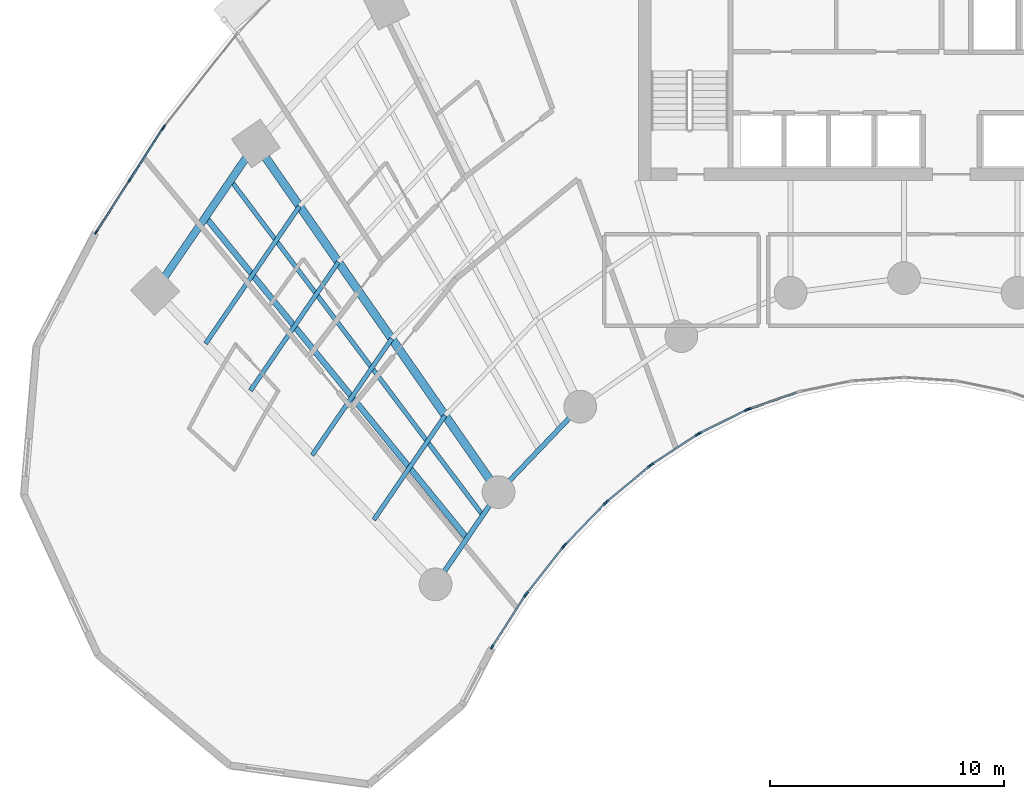
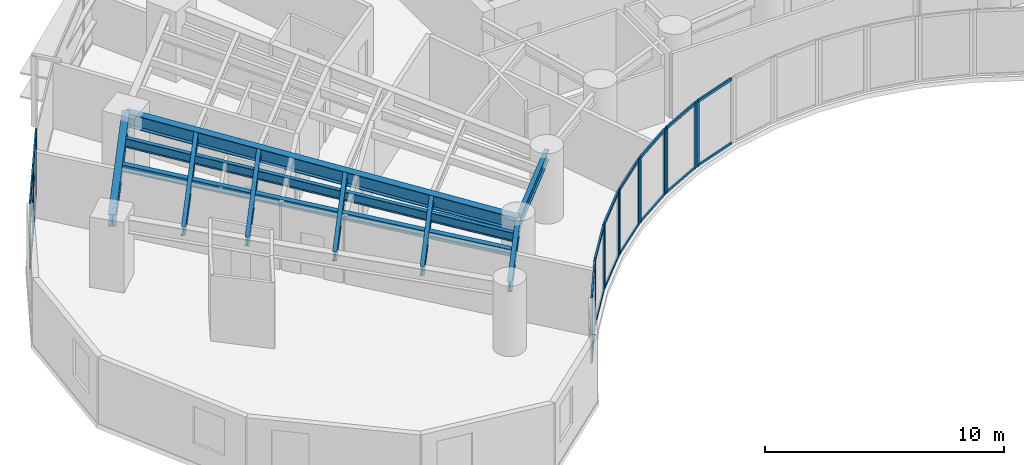
# One storey, part 2 of 17: 37 members, 10 beams, 9 elements without a shape of their own.
"""IFC4 building model written with IfcOpenShell, lengths in metres."""

from ifc_helpers import new_model, si_unit, direction, frame, origin, origin_2d, place, context, subcontext, project, spatial, rectangle, hollow_rectangle, i_section, extrude, source, transform, mapped, material, layer, layer_set, material_profile, profile_set, type_object, type_shapes, element, aggregate, save


model = new_model("IFC4")

# Units and contexts
model_context = context("Model", 3, precision=1e-05, world=origin(), true_north=direction((0.0, 1.0)))
body_context = subcontext(model_context, "Body", "Model", "MODEL_VIEW")
ifc_project = project(units=[si_unit("LENGTHUNIT", "METRE"), si_unit("AREAUNIT", "SQUARE_METRE"), si_unit("VOLUMEUNIT", "CUBIC_METRE"), si_unit("PLANEANGLEUNIT", "RADIAN"), si_unit("MASSUNIT", "GRAM", prefix="KILO")], contexts=[model_context])

# Site, building, storey
site_placement = place(None, origin())
site = spatial("IfcSite", under=ifc_project, at=site_placement, CompositionType="ELEMENT")
building_placement = place(site_placement, origin())
building = spatial("IfcBuilding", under=site, at=building_placement, Name="Breltana Convention Tower", CompositionType="ELEMENT")
storey_placement = place(building_placement, frame((0.0, 0.0, 71.39990234375)))
storey = spatial("IfcBuildingStorey", under=building, at=storey_placement, Name="L16", CompositionType="ELEMENT", Elevation=71.39990234375)

# Beams
ifc_material_1 = material(Name="Steel ASTM A992 Grade 50", Category="steel")
ifc_material_profile_1 = material_profile(ifc_material_1, i_section(OverallWidth=0.323974609375, OverallDepth=0.611083984375, WebThickness=0.0126953125, FlangeThickness=0.01904296875, at=origin_2d()), Name="W24X104")
ifc_profile_set_1 = profile_set([ifc_material_profile_1], Name="Steel ASTM A992 Grade 50")
beam_type_1 = type_object("IfcBeamType", Name="BM-SP-W24X104", PredefinedType="SPANDREL", material=ifc_profile_set_1)
shared_shape_1 = source(origin(), body_context, "Body", "SweptSolid", [
    extrude(i_section(OverallWidth=0.323974609375, OverallDepth=0.611083984375, WebThickness=0.0126953125, FlangeThickness=0.01904296875, at=origin_2d()), origin(), (0.0, 0.0, 1.0), 7.625),
])
type_shapes(beam_type_1, [shared_shape_1])
beam_1_placement = place(storey_placement, frame((16.0068359375, 55.494384765625, 3.0546875), z_axis=(0.564452031902, 0.825465870694, 0.0), x_axis=(-0.825465870694, 0.564452031902, 0.0)))
element("IfcBeam", 1, at=beam_1_placement, inside=storey, type_object=beam_type_1, Name="L16 Outer Spandrel Beam 01", PredefinedType="SPANDREL", context=body_context, shape_type="MappedRepresentation", body=[
    mapped(shared_shape_1, transform((0.0, 0.0, 0.0), scale=1.0)),
])
ifc_material_profile_2 = material_profile(ifc_material_1, i_section(OverallWidth=0.35498046875, OverallDepth=0.696044921875, WebThickness=0.015380859375, FlangeThickness=0.02490234375, at=origin_2d()), Name="W27X146")
ifc_profile_set_2 = profile_set([ifc_material_profile_2], Name="Steel ASTM A992 Grade 50")
beam_type_2 = type_object("IfcBeamType", Name="BM-RG-W27X146", PredefinedType="USERDEFINED", material=ifc_profile_set_2)
shared_shape_2 = source(origin(), body_context, "Body", "SweptSolid", [
    extrude(i_section(OverallWidth=0.35498046875, OverallDepth=0.696044921875, WebThickness=0.015380859375, FlangeThickness=0.02490234375, at=origin_2d()), origin(), (0.0, 0.0, 1.0), 18.1484375),
])
beam_2_placement = place(storey_placement, frame((30.67724609375, 46.892333984375, 3.01220703125), z_axis=(-0.571207556098, 0.820805657788, 0.0), x_axis=(-0.820805657788, -0.571207556098, 0.0)))
element("IfcBeam", 2, at=beam_2_placement, inside=storey, type_object=beam_type_2, Name="L16 Radial Floor Girder R02", ObjectType="GIRDER", PredefinedType="USERDEFINED", context=body_context, shape_type="MappedRepresentation", body=[
    mapped(shared_shape_2, transform((0.0, 0.0, 0.0), scale=1.0)),
])
ifc_material_profile_3 = material_profile(ifc_material_1, i_section(OverallWidth=0.2099609375, OverallDepth=0.537109375, WebThickness=0.010986328125, FlangeThickness=0.017333984375, at=origin_2d()), Name="W21X68")
ifc_profile_set_3 = profile_set([ifc_material_profile_3], Name="Steel ASTM A992 Grade 50")
beam_type_3 = type_object("IfcBeamType", Name="BM-BM-W21X68", PredefinedType="BEAM", material=ifc_profile_set_3)
shared_shape_3 = source(origin(), body_context, "Body", "SweptSolid", [
    extrude(i_section(OverallWidth=0.2099609375, OverallDepth=0.537109375, WebThickness=0.010986328125, FlangeThickness=0.017333984375, at=origin_2d()), origin(), (0.0, 0.0, 1.0), 4.770263671875),
])
beam_3_placement = place(storey_placement, frame((27.984619140625, 42.95458984375, 3.091552734375), z_axis=(0.564452719055, 0.82546540082, 0.0), x_axis=(-0.82546540082, 0.564452719055, 0.0)))
element("IfcBeam", 3, at=beam_3_placement, inside=storey, type_object=beam_type_3, Name="L16 Inner Ring Beam 01", PredefinedType="BEAM", context=body_context, shape_type="MappedRepresentation", body=[
    mapped(shared_shape_3, transform((0.0, 0.0, 0.0), scale=1.0)),
])
shared_shape_4 = source(origin(), body_context, "Body", "SweptSolid", [
    extrude(i_section(OverallWidth=0.2099609375, OverallDepth=0.537109375, WebThickness=0.010986328125, FlangeThickness=0.017333984375, at=origin_2d()), origin(), (0.0, 0.0, 1.0), 5.05126953125),
])
beam_4_placement = place(storey_placement, frame((30.67724609375, 46.892333984375, 3.091552734375), z_axis=(0.690729753845, 0.7231129975, 0.0), x_axis=(-0.7231129975, 0.690729753845, 0.0)))
element("IfcBeam", 4, at=beam_4_placement, inside=storey, type_object=beam_type_3, Name="L16 Inner Ring Beam 02", PredefinedType="BEAM", context=body_context, shape_type="MappedRepresentation", body=[
    mapped(shared_shape_4, transform((0.0, 0.0, 0.0), scale=1.0)),
])
ifc_material_profile_4 = material_profile(ifc_material_1, i_section(OverallWidth=0.19091796875, OverallDepth=0.4599609375, WebThickness=0.010009765625, FlangeThickness=0.01611328125, at=origin_2d()), Name="W18X55")
ifc_profile_set_4 = profile_set([ifc_material_profile_4], Name="Steel ASTM A992 Grade 50")
beam_type_4 = type_object("IfcBeamType", Name="BM-JSG-07", PredefinedType="JOIST", material=ifc_profile_set_4)
shared_shape_5 = source(origin(), body_context, "Body", "SweptSolid", [
    extrude(i_section(OverallWidth=0.19091796875, OverallDepth=0.4599609375, WebThickness=0.010009765625, FlangeThickness=0.01611328125, at=origin_2d()), origin(), (0.0, 0.0, 1.0), 5.3984375),
])
type_shapes(beam_type_4, [shared_shape_5])
beam_5_placement = place(storey_placement, frame((25.349365234375, 45.71337890625, 3.130126953125), z_axis=(0.564440705434, 0.825473615599, 0.0), x_axis=(-0.825473615599, 0.564440705434, 0.0)))
element("IfcBeam", 5, at=beam_5_placement, inside=storey, type_object=beam_type_4, Name="L16 Composite Floor Joist 01.1", PredefinedType="JOIST", context=body_context, shape_type="MappedRepresentation", body=[
    mapped(shared_shape_5, transform((0.0, 0.0, 0.0), scale=1.0)),
])
shared_shape_6 = source(origin(), body_context, "Body", "SweptSolid", [
    extrude(i_section(OverallWidth=0.19091796875, OverallDepth=0.4599609375, WebThickness=0.010009765625, FlangeThickness=0.01611328125, at=origin_2d()), origin(), (0.0, 0.0, 1.0), 6.0263671875),
])
beam_6_placement = place(storey_placement, frame((22.71435546875, 48.47216796875, 3.130126953125), z_axis=(0.564450071397, 0.825467211281, 0.0), x_axis=(-0.825467211281, 0.564450071397, 0.0)))
element("IfcBeam", 6, at=beam_6_placement, inside=storey, type_object=beam_type_4, Name="L16 Composite Floor Joist 01.2", PredefinedType="JOIST", context=body_context, shape_type="MappedRepresentation", body=[
    mapped(shared_shape_6, transform((0.0, 0.0, 0.0), scale=1.0)),
])
shared_shape_7 = source(origin(), body_context, "Body", "SweptSolid", [
    extrude(i_section(OverallWidth=0.19091796875, OverallDepth=0.4599609375, WebThickness=0.010009765625, FlangeThickness=0.01611328125, at=origin_2d()), origin(), (0.0, 0.0, 1.0), 6.654541015625),
])
beam_7_placement = place(storey_placement, frame((20.0791015625, 51.23095703125, 3.130126953125), z_axis=(0.564482668195, 0.82544492082, 0.0), x_axis=(-0.82544492082, 0.564482668195, 0.0)))
element("IfcBeam", 7, at=beam_7_placement, inside=storey, type_object=beam_type_4, Name="L16 Composite Floor Joist 01.3", PredefinedType="JOIST", context=body_context, shape_type="MappedRepresentation", body=[
    mapped(shared_shape_7, transform((0.0, 0.0, 0.0), scale=1.0)),
])
shared_shape_8 = source(origin(), body_context, "Body", "SweptSolid", [
    extrude(i_section(OverallWidth=0.19091796875, OverallDepth=0.4599609375, WebThickness=0.010009765625, FlangeThickness=0.01611328125, at=origin_2d()), origin(), (0.0, 0.0, 1.0), 7.111328125),
])
beam_8_placement = place(storey_placement, frame((18.162841796875, 53.2373046875, 3.130126953125), z_axis=(0.564446356178, 0.825469751715, 0.0), x_axis=(-0.825469751715, 0.564446356178, 0.0)))
element("IfcBeam", 8, at=beam_8_placement, inside=storey, type_object=beam_type_4, Name="L16 Composite Floor Joist 01.4", PredefinedType="JOIST", context=body_context, shape_type="MappedRepresentation", body=[
    mapped(shared_shape_8, transform((0.0, 0.0, 0.0), scale=1.0)),
])
ifc_material_profile_5 = material_profile(ifc_material_1, hollow_rectangle(XDim=0.25, YDim=0.35009765625, WallThickness=0.011962890625, at=origin_2d()), Name="RHS350X250X12")
ifc_profile_set_5 = profile_set([ifc_material_profile_5], Name="Steel ASTM A992 Grade 50")
beam_type_5 = type_object("IfcBeamType", Name="BM-JSG-12", PredefinedType="JOIST", material=ifc_profile_set_5)
shared_shape_9 = source(origin(), body_context, "Body", "SweptSolid", [
    extrude(hollow_rectangle(XDim=0.25, YDim=0.35009765625, WallThickness=0.011962890625, at=origin_2d()), origin(), (0.0, 0.0, 1.0), 17.691650390625),
])
type_shapes(beam_type_5, [shared_shape_9])
beam_9_placement = place(storey_placement, frame((29.330810546875, 44.923583984375, 3.18505859375), z_axis=(-0.631476958478, 0.775394642044, 0.0), x_axis=(-0.775394642044, -0.631476958478, 0.0)))
element("IfcBeam", 9, at=beam_9_placement, inside=storey, type_object=beam_type_5, Name="L16 Mid-Bay Radial Trimmer 01", PredefinedType="JOIST", context=body_context, shape_type="MappedRepresentation", body=[
    mapped(shared_shape_9, transform((0.0, 0.0, 0.0), scale=1.0)),
])
shared_shape_10 = source(origin(), body_context, "Body", "SweptSolid", [
    extrude(i_section(OverallWidth=0.19091796875, OverallDepth=0.4599609375, WebThickness=0.010009765625, FlangeThickness=0.01611328125, at=origin_2d()), origin(), (0.0, 0.0, 1.0), 17.9072265625),
])
beam_10_placement = place(storey_placement, frame((30.00390625, 45.907958984375, 3.130126953125), z_axis=(-0.601382105028, 0.798961553363, 0.0), x_axis=(-0.798961553363, -0.601382105028, 0.0)))
element("IfcBeam", 10, at=beam_10_placement, inside=storey, type_object=beam_type_4, Name="L16 Quarter-Bay Radial Trimmer 01", PredefinedType="JOIST", context=body_context, shape_type="MappedRepresentation", body=[
    mapped(shared_shape_10, transform((0.0, 0.0, 0.0), scale=1.0)),
])

# Curtain wall, members
ifc_material_2 = material(Name="Aluminium Anodised Bronze Frame", Category="aluminium")
ifc_layer_1 = layer(ifc_material_2, 0.18994140625, Name="Aluminium Anodised Bronze Frame")
ifc_layer_set_1 = layer_set([ifc_layer_1], Name="Aluminium Anodised Bronze Frame")
curtain_wall_type_1 = type_object("IfcCurtainWallType", Name="CW-SYS-1", PredefinedType="NOTDEFINED", material=ifc_layer_set_1)
curtain_wall_1_placement = place(storey_placement, origin())
curtain_wall_1 = element("IfcCurtainWall", 11, at=curtain_wall_1_placement, inside=storey, type_object=curtain_wall_type_1, Name="L16 inner south-court glazing 16", PredefinedType="NOTDEFINED")
ifc_material_3 = material(Name="Aluminium Anodised Bronze", Category="aluminium")
ifc_material_profile_6 = material_profile(ifc_material_3, rectangle(XDim=0.080078125, YDim=0.139892578125, at=origin_2d()), Name="CWT-80X140")
ifc_profile_set_6 = profile_set([ifc_material_profile_6], Name="Aluminium Anodised Bronze")
member_type_1 = type_object("IfcMemberType", Name="CWT-140", PredefinedType="USERDEFINED", material=ifc_profile_set_6)
shared_shape_11 = source(origin(), body_context, "Body", "SweptSolid", [
    extrude(rectangle(XDim=0.080078125, YDim=0.139892578125, at=origin_2d()), origin(), (0.0, 0.0, 1.0), 2.38720703125),
])
type_shapes(member_type_1, [shared_shape_11])
member_1_placement = place(storey_placement, frame((35.2021484375, 46.385009765625, 0.0400390625), z_axis=(-0.694623715393, -0.719373264734, 0.0), x_axis=(0.719373264734, -0.694623715393, 0.0)))
member_1 = element("IfcMember", 12, at=member_1_placement, type_object=member_type_1, Name="CW-01 transom 1.1", ObjectType="TRANSOM", PredefinedType="USERDEFINED", context=body_context, shape_type="MappedRepresentation", body=[
    mapped(shared_shape_11, transform((0.0, 0.0, 0.0), scale=1.0)),
])
member_2_placement = place(storey_placement, frame((35.2021484375, 46.385009765625, 3.320068359375), z_axis=(-0.694623715393, -0.719373264734, 0.0), x_axis=(0.719373264734, -0.694623715393, 0.0)))
member_2 = element("IfcMember", 13, at=member_2_placement, type_object=member_type_1, Name="CW-01 transom 1.2", ObjectType="TRANSOM", PredefinedType="USERDEFINED", context=body_context, shape_type="MappedRepresentation", body=[
    mapped(shared_shape_11, transform((0.0, 0.0, 0.0), scale=1.0)),
])

curtain_wall_2_placement = place(storey_placement, origin())
curtain_wall_2 = element("IfcCurtainWall", 14, at=curtain_wall_2_placement, inside=storey, type_object=curtain_wall_type_1, Name="L16 inner south-court glazing 15", PredefinedType="NOTDEFINED")
shared_shape_12 = source(origin(), body_context, "Body", "SweptSolid", [
    extrude(rectangle(XDim=0.080078125, YDim=0.139892578125, at=origin_2d()), origin(), (0.0, 0.0, 1.0), 2.312255859375),
])
member_3_placement = place(storey_placement, frame((37.10888671875, 47.988037109375, 0.0400390625), z_axis=(-0.767900974507, -0.640568570374, 0.0), x_axis=(0.640568570374, -0.767900974507, 0.0)))
member_3 = element("IfcMember", 15, at=member_3_placement, type_object=member_type_1, Name="CW-01 transom 1.1", ObjectType="TRANSOM", PredefinedType="USERDEFINED", context=body_context, shape_type="MappedRepresentation", body=[
    mapped(shared_shape_12, transform((0.0, 0.0, 0.0), scale=1.0)),
])
member_4_placement = place(storey_placement, frame((37.10888671875, 47.988037109375, 3.320068359375), z_axis=(-0.767900974507, -0.640568570374, 0.0), x_axis=(0.640568570374, -0.767900974507, 0.0)))
member_4 = element("IfcMember", 16, at=member_4_placement, type_object=member_type_1, Name="CW-01 transom 1.2", ObjectType="TRANSOM", PredefinedType="USERDEFINED", context=body_context, shape_type="MappedRepresentation", body=[
    mapped(shared_shape_12, transform((0.0, 0.0, 0.0), scale=1.0)),
])

curtain_wall_3_placement = place(storey_placement, origin())
curtain_wall_3 = element("IfcCurtainWall", 17, at=curtain_wall_3_placement, inside=storey, type_object=curtain_wall_type_1, Name="L16 inner south-court glazing 14", PredefinedType="NOTDEFINED")
shared_shape_13 = source(origin(), body_context, "Body", "SweptSolid", [
    extrude(rectangle(XDim=0.080078125, YDim=0.139892578125, at=origin_2d()), origin(), (0.0, 0.0, 1.0), 2.2421875),
])
member_5_placement = place(storey_placement, frame((39.128173828125, 49.325927734375, 0.0400390625), z_axis=(-0.835982353773, -0.548756324957, 0.0), x_axis=(0.548756324957, -0.835982353773, 0.0)))
member_5 = element("IfcMember", 18, at=member_5_placement, type_object=member_type_1, Name="CW-01 transom 1.1", ObjectType="TRANSOM", PredefinedType="USERDEFINED", context=body_context, shape_type="MappedRepresentation", body=[
    mapped(shared_shape_13, transform((0.0, 0.0, 0.0), scale=1.0)),
])
member_6_placement = place(storey_placement, frame((39.128173828125, 49.325927734375, 3.320068359375), z_axis=(-0.835982353773, -0.548756324957, 0.0), x_axis=(0.548756324957, -0.835982353773, 0.0)))
member_6 = element("IfcMember", 19, at=member_6_placement, type_object=member_type_1, Name="CW-01 transom 1.2", ObjectType="TRANSOM", PredefinedType="USERDEFINED", context=body_context, shape_type="MappedRepresentation", body=[
    mapped(shared_shape_13, transform((0.0, 0.0, 0.0), scale=1.0)),
])

curtain_wall_4_placement = place(storey_placement, origin())
curtain_wall_4 = element("IfcCurtainWall", 20, at=curtain_wall_4_placement, inside=storey, type_object=curtain_wall_type_1, Name="L16 inner south-court glazing 13", PredefinedType="NOTDEFINED")
shared_shape_14 = source(origin(), body_context, "Body", "SweptSolid", [
    extrude(rectangle(XDim=0.080078125, YDim=0.139892578125, at=origin_2d()), origin(), (0.0, 0.0, 1.0), 2.180908203125),
])
member_7_placement = place(storey_placement, frame((41.239501953125, 50.384765625, 0.0400390625), z_axis=(-0.895922266369, -0.444210865045, 0.0), x_axis=(0.444210865045, -0.895922266369, 0.0)))
member_7 = element("IfcMember", 21, at=member_7_placement, type_object=member_type_1, Name="CW-01 transom 1.1", ObjectType="TRANSOM", PredefinedType="USERDEFINED", context=body_context, shape_type="MappedRepresentation", body=[
    mapped(shared_shape_14, transform((0.0, 0.0, 0.0), scale=1.0)),
])
member_8_placement = place(storey_placement, frame((41.239501953125, 50.384765625, 3.320068359375), z_axis=(-0.895922266369, -0.444210865045, 0.0), x_axis=(0.444210865045, -0.895922266369, 0.0)))
member_8 = element("IfcMember", 22, at=member_8_placement, type_object=member_type_1, Name="CW-01 transom 1.2", ObjectType="TRANSOM", PredefinedType="USERDEFINED", context=body_context, shape_type="MappedRepresentation", body=[
    mapped(shared_shape_14, transform((0.0, 0.0, 0.0), scale=1.0)),
])

curtain_wall_5_placement = place(storey_placement, origin())
curtain_wall_5 = element("IfcCurtainWall", 23, at=curtain_wall_5_placement, inside=storey, type_object=curtain_wall_type_1, Name="L16 inner south-court glazing 17", PredefinedType="NOTDEFINED")
shared_shape_15 = source(origin(), body_context, "Body", "SweptSolid", [
    extrude(rectangle(XDim=0.080078125, YDim=0.139892578125, at=origin_2d()), origin(), (0.0, 0.0, 1.0), 2.4638671875),
])
member_9_placement = place(storey_placement, frame((33.427001953125, 44.533447265625, 0.0400390625), z_axis=(-0.618184689608, -0.786032880695, 0.0), x_axis=(0.786032880695, -0.618184689608, 0.0)))
member_9 = element("IfcMember", 24, at=member_9_placement, type_object=member_type_1, Name="CW-01 transom 1.1", ObjectType="TRANSOM", PredefinedType="USERDEFINED", context=body_context, shape_type="MappedRepresentation", body=[
    mapped(shared_shape_15, transform((0.0, 0.0, 0.0), scale=1.0)),
])
member_10_placement = place(storey_placement, frame((33.427001953125, 44.533447265625, 3.320068359375), z_axis=(-0.618184689608, -0.786032880695, 0.0), x_axis=(0.786032880695, -0.618184689608, 0.0)))
member_10 = element("IfcMember", 25, at=member_10_placement, type_object=member_type_1, Name="CW-01 transom 1.2", ObjectType="TRANSOM", PredefinedType="USERDEFINED", context=body_context, shape_type="MappedRepresentation", body=[
    mapped(shared_shape_15, transform((0.0, 0.0, 0.0), scale=1.0)),
])

curtain_wall_6_placement = place(storey_placement, origin())
curtain_wall_6 = element("IfcCurtainWall", 26, at=curtain_wall_6_placement, inside=storey, type_object=curtain_wall_type_1, Name="L16 inner south-court glazing 18", PredefinedType="NOTDEFINED")
shared_shape_16 = source(origin(), body_context, "Body", "SweptSolid", [
    extrude(rectangle(XDim=0.080078125, YDim=0.139892578125, at=origin_2d()), origin(), (0.0, 0.0, 1.0), 2.53955078125),
])
member_11_placement = place(storey_placement, frame((31.801025390625, 42.452392578125, 0.0400390625), z_axis=(-0.540174413174, -0.841553090038, 0.0), x_axis=(0.841553090038, -0.540174413174, 0.0)))
member_11 = element("IfcMember", 27, at=member_11_placement, type_object=member_type_1, Name="CW-01 transom 1.1", ObjectType="TRANSOM", PredefinedType="USERDEFINED", context=body_context, shape_type="MappedRepresentation", body=[
    mapped(shared_shape_16, transform((0.0, 0.0, 0.0), scale=1.0)),
])
member_12_placement = place(storey_placement, frame((31.801025390625, 42.452392578125, 3.320068359375), z_axis=(-0.540174413174, -0.841553090038, 0.0), x_axis=(0.841553090038, -0.540174413174, 0.0)))
member_12 = element("IfcMember", 28, at=member_12_placement, type_object=member_type_1, Name="CW-01 transom 1.2", ObjectType="TRANSOM", PredefinedType="USERDEFINED", context=body_context, shape_type="MappedRepresentation", body=[
    mapped(shared_shape_16, transform((0.0, 0.0, 0.0), scale=1.0)),
])

# Curtain wall, member
curtain_wall_7_placement = place(storey_placement, origin())
curtain_wall_7 = element("IfcCurtainWall", 29, at=curtain_wall_7_placement, inside=storey, type_object=curtain_wall_type_1, Name="L16 inner south-court glazing 12", PredefinedType="NOTDEFINED")
ifc_material_profile_7 = material_profile(ifc_material_3, rectangle(XDim=0.080078125, YDim=0.199951171875, at=origin_2d()), Name="CWM-80X200")
ifc_profile_set_7 = profile_set([ifc_material_profile_7], Name="Aluminium Anodised Bronze")
member_type_2 = type_object("IfcMemberType", Name="CWM-200", PredefinedType="MULLION", material=ifc_profile_set_7)
shared_shape_17 = source(origin(), body_context, "Body", "SweptSolid", [
    extrude(rectangle(XDim=0.080078125, YDim=0.199951171875, at=origin_2d()), origin(), (0.0, 0.0, 1.0), 3.360107421875),
])
member_13_placement = place(storey_placement, frame((41.3701171875, 50.442138671875, 0.0), z_axis=(0.0, 0.0, 1.0), x_axis=(0.327413341714, -0.944881211406, 0.0)))
member_13 = element("IfcMember", 30, at=member_13_placement, type_object=member_type_2, Name="CW-01 mullion 2", PredefinedType="MULLION", context=body_context, shape_type="MappedRepresentation", body=[
    mapped(shared_shape_17, transform((0.0, 0.0, 0.0), scale=1.0)),
])

# Member
member_14_placement = place(storey_placement, frame((41.275390625, 50.40234375, 0.0), z_axis=(0.0, 0.0, 1.0), x_axis=(0.444117987602, -0.895968310315, 0.0)))
member_14 = element("IfcMember", 31, at=member_14_placement, type_object=member_type_2, Name="CW-01 mullion 1", PredefinedType="MULLION", context=body_context, shape_type="MappedRepresentation", body=[
    mapped(shared_shape_17, transform((0.0, 0.0, 0.0), scale=1.0)),
])

member_15_placement = place(storey_placement, frame((39.249755859375, 49.3984375, 0.0), z_axis=(0.0, 0.0, 1.0), x_axis=(0.444117987602, -0.895968310315, 0.0)))
member_15 = element("IfcMember", 32, at=member_15_placement, type_object=member_type_2, Name="CW-01 mullion 2", PredefinedType="MULLION", context=body_context, shape_type="MappedRepresentation", body=[
    mapped(shared_shape_17, transform((0.0, 0.0, 0.0), scale=1.0)),
])

aggregate(curtain_wall_4, [member_14, member_15, member_7, member_8])

member_16_placement = place(storey_placement, frame((39.16162109375, 49.347900390625, 0.0), z_axis=(0.0, 0.0, 1.0), x_axis=(0.548778278441, -0.835967942634, 0.0)))
member_16 = element("IfcMember", 33, at=member_16_placement, type_object=member_type_2, Name="CW-01 mullion 1", PredefinedType="MULLION", context=body_context, shape_type="MappedRepresentation", body=[
    mapped(shared_shape_17, transform((0.0, 0.0, 0.0), scale=1.0)),
])

member_17_placement = place(storey_placement, frame((37.220458984375, 48.073486328125, 0.0), z_axis=(0.0, 0.0, 1.0), x_axis=(0.548778278441, -0.835967942634, 0.0)))
member_17 = element("IfcMember", 34, at=member_17_placement, type_object=member_type_2, Name="CW-01 mullion 2", PredefinedType="MULLION", context=body_context, shape_type="MappedRepresentation", body=[
    mapped(shared_shape_17, transform((0.0, 0.0, 0.0), scale=1.0)),
])

aggregate(curtain_wall_3, [member_16, member_17, member_5, member_6])

member_18_placement = place(storey_placement, frame((37.1396484375, 48.013671875, 0.0), z_axis=(0.0, 0.0, 1.0), x_axis=(0.640522524458, -0.767939382804, 0.0)))
member_18 = element("IfcMember", 35, at=member_18_placement, type_object=member_type_2, Name="CW-01 mullion 1", PredefinedType="MULLION", context=body_context, shape_type="MappedRepresentation", body=[
    mapped(shared_shape_17, transform((0.0, 0.0, 0.0), scale=1.0)),
])

member_19_placement = place(storey_placement, frame((35.302734375, 46.481201171875, 0.0), z_axis=(0.0, 0.0, 1.0), x_axis=(0.640522524458, -0.767939382804, 0.0)))
member_19 = element("IfcMember", 36, at=member_19_placement, type_object=member_type_2, Name="CW-01 mullion 2", PredefinedType="MULLION", context=body_context, shape_type="MappedRepresentation", body=[
    mapped(shared_shape_17, transform((0.0, 0.0, 0.0), scale=1.0)),
])

aggregate(curtain_wall_2, [member_18, member_19, member_3, member_4])

member_20_placement = place(storey_placement, frame((35.22998046875, 46.413818359375, 0.0), z_axis=(0.0, 0.0, 1.0), x_axis=(0.719384548773, -0.694612029111, 0.0)))
member_20 = element("IfcMember", 37, at=member_20_placement, type_object=member_type_2, Name="CW-01 mullion 1", PredefinedType="MULLION", context=body_context, shape_type="MappedRepresentation", body=[
    mapped(shared_shape_17, transform((0.0, 0.0, 0.0), scale=1.0)),
])

member_21_placement = place(storey_placement, frame((33.51611328125, 44.638916015625, 0.0), z_axis=(0.0, 0.0, 1.0), x_axis=(0.719384548773, -0.694612029111, 0.0)))
member_21 = element("IfcMember", 38, at=member_21_placement, type_object=member_type_2, Name="CW-01 mullion 2", PredefinedType="MULLION", context=body_context, shape_type="MappedRepresentation", body=[
    mapped(shared_shape_17, transform((0.0, 0.0, 0.0), scale=1.0)),
])

aggregate(curtain_wall_1, [member_20, member_21, member_1, member_2])

member_22_placement = place(storey_placement, frame((33.45166015625, 44.56494140625, 0.0), z_axis=(0.0, 0.0, 1.0), x_axis=(0.786057762734, -0.61815305034, 0.0)))
member_22 = element("IfcMember", 39, at=member_22_placement, type_object=member_type_2, Name="CW-01 mullion 1", PredefinedType="MULLION", context=body_context, shape_type="MappedRepresentation", body=[
    mapped(shared_shape_17, transform((0.0, 0.0, 0.0), scale=1.0)),
])

member_23_placement = place(storey_placement, frame((31.87890625, 42.565185546875, 0.0), z_axis=(0.0, 0.0, 1.0), x_axis=(0.786057762734, -0.61815305034, 0.0)))
member_23 = element("IfcMember", 40, at=member_23_placement, type_object=member_type_2, Name="CW-01 mullion 2", PredefinedType="MULLION", context=body_context, shape_type="MappedRepresentation", body=[
    mapped(shared_shape_17, transform((0.0, 0.0, 0.0), scale=1.0)),
])

aggregate(curtain_wall_5, [member_22, member_23, member_9, member_10])

member_24_placement = place(storey_placement, frame((31.82275390625, 42.48583984375, 0.0), z_axis=(0.0, 0.0, 1.0), x_axis=(0.841556194767, -0.540169576197, 0.0)))
member_24 = element("IfcMember", 41, at=member_24_placement, type_object=member_type_2, Name="CW-01 mullion 1", PredefinedType="MULLION", context=body_context, shape_type="MappedRepresentation", body=[
    mapped(shared_shape_17, transform((0.0, 0.0, 0.0), scale=1.0)),
])

member_25_placement = place(storey_placement, frame((30.40771484375, 40.281494140625, 0.0), z_axis=(0.0, 0.0, 1.0), x_axis=(0.841556194767, -0.540169576197, 0.0)))
member_25 = element("IfcMember", 42, at=member_25_placement, type_object=member_type_2, Name="CW-01 mullion 2", PredefinedType="MULLION", context=body_context, shape_type="MappedRepresentation", body=[
    mapped(shared_shape_17, transform((0.0, 0.0, 0.0), scale=1.0)),
])

aggregate(curtain_wall_6, [member_24, member_25, member_11, member_12])

shared_shape_18 = source(origin(), body_context, "Body", "SweptSolid", [
    extrude(rectangle(XDim=0.080078125, YDim=0.139892578125, at=origin_2d()), origin(), (0.0, 0.0, 1.0), 2.131103515625),
])
member_26_placement = place(storey_placement, frame((43.421630859375, 51.153076171875, 0.0400390625), z_axis=(-0.944847069856, -0.327511854112, 0.0), x_axis=(0.327511854112, -0.944847069856, 0.0)))
member_26 = element("IfcMember", 43, at=member_26_placement, type_object=member_type_1, Name="CW-01 transom 1.1", ObjectType="TRANSOM", PredefinedType="USERDEFINED", context=body_context, shape_type="MappedRepresentation", body=[
    mapped(shared_shape_18, transform((0.0, 0.0, 0.0), scale=1.0)),
])

member_27_placement = place(storey_placement, frame((43.421630859375, 51.153076171875, 3.320068359375), z_axis=(-0.944847069856, -0.327511854112, 0.0), x_axis=(0.327511854112, -0.944847069856, 0.0)))
member_27 = element("IfcMember", 44, at=member_27_placement, type_object=member_type_1, Name="CW-01 transom 1.2", ObjectType="TRANSOM", PredefinedType="USERDEFINED", context=body_context, shape_type="MappedRepresentation", body=[
    mapped(shared_shape_18, transform((0.0, 0.0, 0.0), scale=1.0)),
])

aggregate(curtain_wall_7, [member_13, member_26, member_27])

# Curtain wall, members
ifc_layer_2 = layer(ifc_material_2, 0.199951171875, Name="Aluminium Anodised Bronze Frame")
ifc_layer_set_2 = layer_set([ifc_layer_2], Name="Aluminium Anodised Bronze Frame")
curtain_wall_type_2 = type_object("IfcCurtainWallType", Name="CW-SYS-2", PredefinedType="NOTDEFINED", material=ifc_layer_set_2)
curtain_wall_8_placement = place(storey_placement, origin())
curtain_wall_8 = element("IfcCurtainWall", 45, at=curtain_wall_8_placement, inside=storey, type_object=curtain_wall_type_2, Name="L16 outer double-skin inner glazing 1", PredefinedType="NOTDEFINED")
ifc_material_profile_8 = material_profile(ifc_material_3, rectangle(XDim=0.070068359375, YDim=0.175048828125, at=origin_2d()), Name="CWM-70X175")
ifc_profile_set_8 = profile_set([ifc_material_profile_8], Name="Aluminium Anodised Bronze")
member_type_3 = type_object("IfcMemberType", Name="CWM-175", PredefinedType="MULLION", material=ifc_profile_set_8)
shared_shape_19 = source(origin(), body_context, "Body", "SweptSolid", [
    extrude(rectangle(XDim=0.070068359375, YDim=0.175048828125, at=origin_2d()), origin(), (0.0, 0.0, 1.0), 3.360107421875),
])
type_shapes(member_type_3, [shared_shape_19])
member_28_placement = place(storey_placement, frame((13.487060546875, 57.993896484375, 0.0), z_axis=(0.0, 0.0, 1.0), x_axis=(-0.841549039154, 0.540180724109, 0.0)))
member_28 = element("IfcMember", 46, at=member_28_placement, type_object=member_type_3, Name="CW-02 mullion 1", PredefinedType="MULLION", context=body_context, shape_type="MappedRepresentation", body=[
    mapped(shared_shape_19, transform((0.0, 0.0, 0.0), scale=1.0)),
])
member_29_placement = place(storey_placement, frame((14.911865234375, 60.2138671875, 0.0), z_axis=(0.0, 0.0, 1.0), x_axis=(-0.841549039154, 0.540180724109, 0.0)))
member_29 = element("IfcMember", 47, at=member_29_placement, type_object=member_type_3, Name="CW-02 mullion 2", PredefinedType="MULLION", context=body_context, shape_type="MappedRepresentation", body=[
    mapped(shared_shape_19, transform((0.0, 0.0, 0.0), scale=1.0)),
])
member_30_placement = place(storey_placement, frame((16.3369140625, 62.43359375, 0.0), z_axis=(0.0, 0.0, 1.0), x_axis=(-0.841549039154, 0.540180724109, 0.0)))
member_30 = element("IfcMember", 48, at=member_30_placement, type_object=member_type_3, Name="CW-02 mullion 3", PredefinedType="MULLION", context=body_context, shape_type="MappedRepresentation", body=[
    mapped(shared_shape_19, transform((0.0, 0.0, 0.0), scale=1.0)),
])

# Curtain wall, member
curtain_wall_9_placement = place(storey_placement, origin())
curtain_wall_9 = element("IfcCurtainWall", 49, at=curtain_wall_9_placement, inside=storey, type_object=curtain_wall_type_2, Name="L16 outer double-skin inner glazing 2", PredefinedType="NOTDEFINED")
member_31_placement = place(storey_placement, frame((16.37744140625, 62.49072265625, 0.0), z_axis=(0.0, 0.0, 1.0), x_axis=(-0.786057080698, 0.618153917633, 0.0)))
member_31 = element("IfcMember", 50, at=member_31_placement, type_object=member_type_3, Name="CW-02 mullion 1", PredefinedType="MULLION", context=body_context, shape_type="MappedRepresentation", body=[
    mapped(shared_shape_19, transform((0.0, 0.0, 0.0), scale=1.0)),
])
aggregate(curtain_wall_9, [member_31])

# Member
ifc_material_profile_9 = material_profile(ifc_material_3, rectangle(XDim=0.070068359375, YDim=0.1201171875, at=origin_2d()), Name="CWT-70X120")
ifc_profile_set_9 = profile_set([ifc_material_profile_9], Name="Aluminium Anodised Bronze")
member_type_4 = type_object("IfcMemberType", Name="CWT-120", PredefinedType="USERDEFINED", material=ifc_profile_set_9)
shared_shape_20 = source(origin(), body_context, "Body", "SweptSolid", [
    extrude(rectangle(XDim=0.070068359375, YDim=0.1201171875, at=origin_2d()), origin(), (0.0, 0.0, 1.0), 2.56787109375),
])
type_shapes(member_type_4, [shared_shape_20])
member_32_placement = place(storey_placement, frame((13.505859375, 58.0234375, 0.03515625), z_axis=(0.54022409371, 0.841521199124, 0.0), x_axis=(-0.841521199124, 0.54022409371, 0.0)))
member_32 = element("IfcMember", 51, at=member_32_placement, type_object=member_type_4, Name="CW-02 transom 1.1", ObjectType="TRANSOM", PredefinedType="USERDEFINED", context=body_context, shape_type="MappedRepresentation", body=[
    mapped(shared_shape_20, transform((0.0, 0.0, 0.0), scale=1.0)),
])

member_33_placement = place(storey_placement, frame((13.505859375, 58.0234375, 2.18408203125), z_axis=(0.54022409371, 0.841521199124, 0.0), x_axis=(-0.841521199124, 0.54022409371, 0.0)))
member_33 = element("IfcMember", 52, at=member_33_placement, type_object=member_type_4, Name="CW-02 transom 1.2", ObjectType="TRANSOM", PredefinedType="USERDEFINED", context=body_context, shape_type="MappedRepresentation", body=[
    mapped(shared_shape_20, transform((0.0, 0.0, 0.0), scale=1.0)),
])

member_34_placement = place(storey_placement, frame((13.505859375, 58.0234375, 3.3251953125), z_axis=(0.54022409371, 0.841521199124, 0.0), x_axis=(-0.841521199124, 0.54022409371, 0.0)))
member_34 = element("IfcMember", 53, at=member_34_placement, type_object=member_type_4, Name="CW-02 transom 1.3", ObjectType="TRANSOM", PredefinedType="USERDEFINED", context=body_context, shape_type="MappedRepresentation", body=[
    mapped(shared_shape_20, transform((0.0, 0.0, 0.0), scale=1.0)),
])

member_35_placement = place(storey_placement, frame((14.930908203125, 60.2431640625, 0.03515625), z_axis=(0.540113540427, 0.841592159806, 0.0), x_axis=(-0.841592159806, 0.540113540427, 0.0)))
member_35 = element("IfcMember", 54, at=member_35_placement, type_object=member_type_4, Name="CW-02 transom 2.1", ObjectType="TRANSOM", PredefinedType="USERDEFINED", context=body_context, shape_type="MappedRepresentation", body=[
    mapped(shared_shape_20, transform((0.0, 0.0, 0.0), scale=1.0)),
])

member_36_placement = place(storey_placement, frame((14.930908203125, 60.2431640625, 2.18408203125), z_axis=(0.540113540427, 0.841592159806, 0.0), x_axis=(-0.841592159806, 0.540113540427, 0.0)))
member_36 = element("IfcMember", 55, at=member_36_placement, type_object=member_type_4, Name="CW-02 transom 2.2", ObjectType="TRANSOM", PredefinedType="USERDEFINED", context=body_context, shape_type="MappedRepresentation", body=[
    mapped(shared_shape_20, transform((0.0, 0.0, 0.0), scale=1.0)),
])

member_37_placement = place(storey_placement, frame((14.930908203125, 60.2431640625, 3.3251953125), z_axis=(0.540113540427, 0.841592159806, 0.0), x_axis=(-0.841592159806, 0.540113540427, 0.0)))
member_37 = element("IfcMember", 56, at=member_37_placement, type_object=member_type_4, Name="CW-02 transom 2.3", ObjectType="TRANSOM", PredefinedType="USERDEFINED", context=body_context, shape_type="MappedRepresentation", body=[
    mapped(shared_shape_20, transform((0.0, 0.0, 0.0), scale=1.0)),
])

aggregate(curtain_wall_8, [member_28, member_29, member_30, member_32, member_33, member_34, member_35, member_36, member_37])

save(model, "model.ifc")
